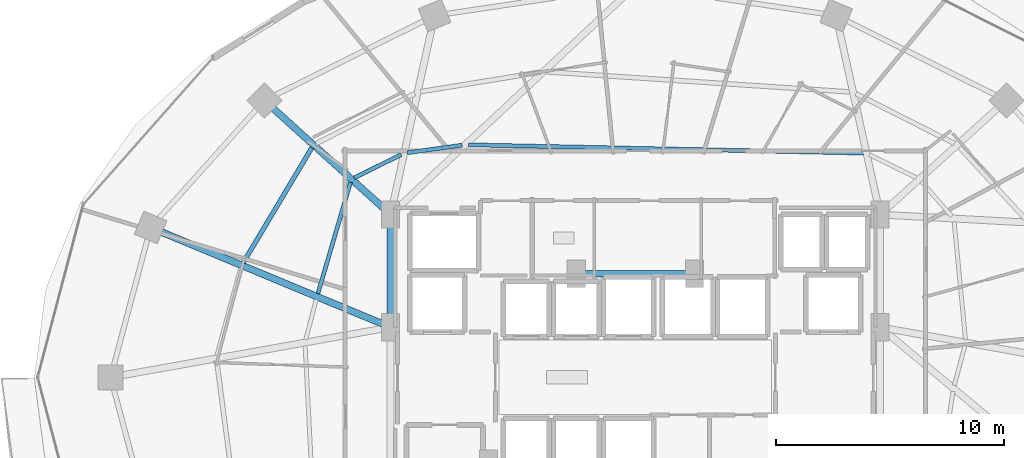
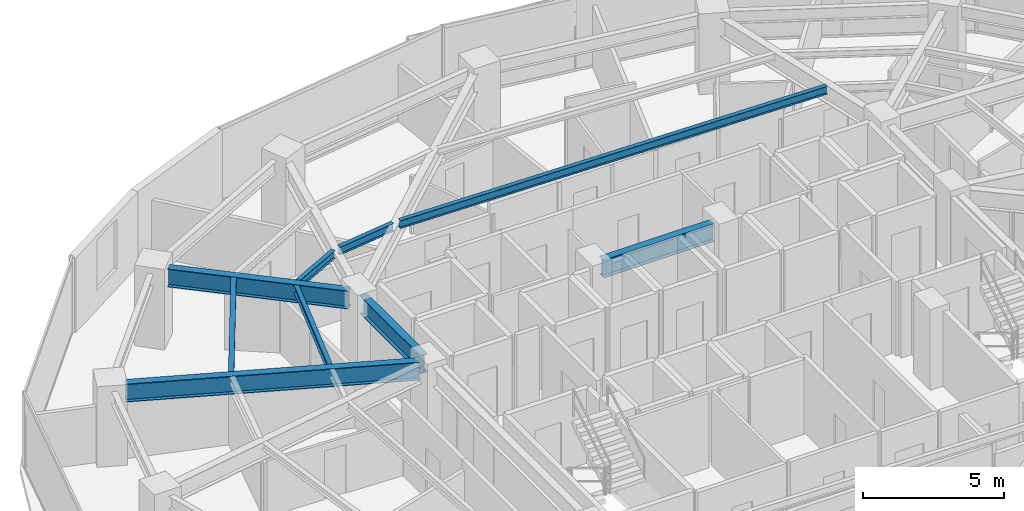
# One storey, part 10 of 29: 9 beams.
"""IFC4 building model written with IfcOpenShell, lengths in metres."""

from ifc_helpers import new_model, si_unit, direction, frame, origin, origin_2d, place, context, subcontext, project, spatial, i_section, extrude, material, material_profile, profile_set, type_object, element, save


model = new_model("IFC4")

# Units and contexts
model_context = context("Model", 3, precision=1e-05, world=origin(), true_north=direction((0.0, 1.0)))
body_context = subcontext(model_context, "Body", "Model", "MODEL_VIEW")
ifc_project = project(units=[si_unit("LENGTHUNIT", "METRE"), si_unit("AREAUNIT", "SQUARE_METRE"), si_unit("VOLUMEUNIT", "CUBIC_METRE"), si_unit("PLANEANGLEUNIT", "RADIAN"), si_unit("MASSUNIT", "GRAM", prefix="KILO")], contexts=[model_context])

# Site, building, storey
site_placement = place(None, origin())
site = spatial("IfcSite", under=ifc_project, at=site_placement, CompositionType="ELEMENT")
building_placement = place(site_placement, origin())
building = spatial("IfcBuilding", under=site, at=building_placement, Name="Vorneva Point Tower", CompositionType="ELEMENT")
storey_placement = place(building_placement, frame((0.0, 0.0, 117.300048828125)))
storey = spatial("IfcBuildingStorey", under=building, at=storey_placement, Name="L31", CompositionType="ELEMENT", Elevation=117.300048828125)

# Beams
ifc_material = material(Name="Steel S355", Category="steel")
ifc_material_profile_1 = material_profile(ifc_material, i_section(OverallWidth=0.300048828125, OverallDepth=0.7880859375, WebThickness=0.014404296875, FlangeThickness=0.02197265625, at=origin_2d()), Name="80Sh1")
ifc_profile_set_1 = profile_set([ifc_material_profile_1], Name="Steel S355")
beam_type_1 = type_object("IfcBeamType", Name="BM-GRD-80Sh1", PredefinedType="USERDEFINED", material=ifc_profile_set_1)
beam_1_placement = place(storey_placement, frame((22.100341796875, 37.801513671875, 2.845947265625), z_axis=(0.742097300344, -0.670292172729, 0.0), x_axis=(0.670292172729, 0.742097300344, 0.0)))
element("IfcBeam", 1, at=beam_1_placement, inside=storey, type_object=beam_type_1, Name="L31 Radial Primary Girder 07", ObjectType="GIRDER", PredefinedType="USERDEFINED", context=body_context, shape_type="SweptSolid", body=[
    extrude(i_section(OverallWidth=0.300048828125, OverallDepth=0.7880859375, WebThickness=0.014404296875, FlangeThickness=0.02197265625, at=origin_2d()), origin(), (0.0, 0.0, 1.0), 6.599365234375),
])
beam_2_placement = place(storey_placement, frame((17.201416015625, 32.375732421875, 2.845947265625), z_axis=(0.923444451211, -0.383732127307, 0.0), x_axis=(0.383732127307, 0.923444451211, 0.0)))
element("IfcBeam", 2, at=beam_2_placement, inside=storey, type_object=beam_type_1, Name="L31 Radial Primary Girder 08", ObjectType="GIRDER", PredefinedType="USERDEFINED", context=body_context, shape_type="SweptSolid", body=[
    extrude(i_section(OverallWidth=0.300048828125, OverallDepth=0.7880859375, WebThickness=0.014404296875, FlangeThickness=0.02197265625, at=origin_2d()), origin(), (0.0, 0.0, 1.0), 10.541748046875),
])
beam_3_placement = place(storey_placement, frame((27.25, 28.52001953125, 2.845947265625), z_axis=(0.0, 1.0, 0.0), x_axis=(-1.0, 0.0, 0.0)))
element("IfcBeam", 3, at=beam_3_placement, inside=storey, type_object=beam_type_1, Name="L31 Core Tie Girder CT2", ObjectType="GIRDER", PredefinedType="USERDEFINED", context=body_context, shape_type="SweptSolid", body=[
    extrude(i_section(OverallWidth=0.300048828125, OverallDepth=0.7880859375, WebThickness=0.014404296875, FlangeThickness=0.02197265625, at=origin_2d()), origin(), (0.0, 0.0, 1.0), 4.31005859375),
])
beam_4_placement = place(storey_placement, frame((35.719970703125, 30.550048828125, 2.845947265625), z_axis=(1.0, 0.0, 0.0), x_axis=(0.0, 1.0, 0.0)))
element("IfcBeam", 4, at=beam_4_placement, inside=storey, type_object=beam_type_1, Name="L31 Core Tie Girder CT8", ObjectType="GIRDER", PredefinedType="USERDEFINED", context=body_context, shape_type="SweptSolid", body=[
    extrude(i_section(OverallWidth=0.300048828125, OverallDepth=0.7880859375, WebThickness=0.014404296875, FlangeThickness=0.02197265625, at=origin_2d()), origin(), (0.0, 0.0, 1.0), 4.56005859375),
])
ifc_material_profile_2 = material_profile(ifc_material, i_section(OverallWidth=0.199951171875, OverallDepth=0.291015625, WebThickness=0.008056640625, FlangeThickness=0.010986328125, at=origin_2d()), Name="30Sh1")
ifc_profile_set_2 = profile_set([ifc_material_profile_2], Name="Steel S355")
beam_type_2 = type_object("IfcBeamType", Name="BM-SEC-30Sh1", PredefinedType="BEAM", material=ifc_profile_set_2)
beam_5_placement = place(storey_placement, frame((23.792724609375, 36.090576171875, 3.094482421875), z_axis=(-0.512554220876, -0.8586548612, 0.0), x_axis=(0.8586548612, -0.512554220876, 0.0)))
element("IfcBeam", 5, at=beam_5_placement, inside=storey, type_object=beam_type_2, Name="L31 Secondary Floor Beam 1.07", PredefinedType="BEAM", context=body_context, shape_type="SweptSolid", body=[
    extrude(i_section(OverallWidth=0.199951171875, OverallDepth=0.291015625, WebThickness=0.008056640625, FlangeThickness=0.010986328125, at=origin_2d()), origin(), (0.0, 0.0, 1.0), 5.884521484375),
])
ifc_material_profile_3 = material_profile(ifc_material, i_section(OverallWidth=0.174072265625, OverallDepth=0.345947265625, WebThickness=0.006103515625, FlangeThickness=0.009033203125, at=origin_2d()), Name="35B1")
ifc_profile_set_3 = profile_set([ifc_material_profile_3], Name="Steel S355")
beam_type_3 = type_object("IfcBeamType", Name="BM-SEC-35B1", PredefinedType="BEAM", material=ifc_profile_set_3)
beam_6_placement = place(storey_placement, frame((48.016845703125, 35.849853515625, 3.06689453125), z_axis=(-0.99977933568, 0.021006664342, 0.0), x_axis=(-0.021006664342, -0.99977933568, 0.0)))
element("IfcBeam", 6, at=beam_6_placement, inside=storey, type_object=beam_type_3, Name="L31 Secondary Floor Beam 2.04", PredefinedType="BEAM", context=body_context, shape_type="SweptSolid", body=[
    extrude(i_section(OverallWidth=0.174072265625, OverallDepth=0.345947265625, WebThickness=0.006103515625, FlangeThickness=0.009033203125, at=origin_2d()), origin(), (0.0, 0.0, 1.0), 17.351806640625),
])
beam_7_placement = place(storey_placement, frame((30.394287109375, 36.198486328125, 3.06689453125), z_axis=(-0.990619725387, -0.136647574709, 0.0), x_axis=(0.136647574709, -0.990619725387, 0.0)))
element("IfcBeam", 7, at=beam_7_placement, inside=storey, type_object=beam_type_3, Name="L31 Secondary Floor Beam 2.05", PredefinedType="BEAM", context=body_context, shape_type="SweptSolid", body=[
    extrude(i_section(OverallWidth=0.174072265625, OverallDepth=0.345947265625, WebThickness=0.006103515625, FlangeThickness=0.009033203125, at=origin_2d()), origin(), (0.0, 0.0, 1.0), 2.435302734375),
])
beam_8_placement = place(storey_placement, frame((27.721435546875, 35.785888671875, 3.06689453125), z_axis=(-0.896973792336, -0.442083720423, 0.0), x_axis=(0.442083720423, -0.896973792336, 0.0)))
element("IfcBeam", 8, at=beam_8_placement, inside=storey, type_object=beam_type_3, Name="L31 Secondary Floor Beam 2.06", PredefinedType="BEAM", context=body_context, shape_type="SweptSolid", body=[
    extrude(i_section(OverallWidth=0.174072265625, OverallDepth=0.345947265625, WebThickness=0.006103515625, FlangeThickness=0.009033203125, at=origin_2d()), origin(), (0.0, 0.0, 1.0), 2.306640625),
])
beam_9_placement = place(storey_placement, frame((25.48974609375, 34.572509765625, 3.06689453125), z_axis=(-0.281319059286, -0.959614290683, 0.0), x_axis=(0.959614290683, -0.281319059286, 0.0)))
element("IfcBeam", 9, at=beam_9_placement, inside=storey, type_object=beam_type_3, Name="L31 Secondary Floor Beam 2.07", PredefinedType="BEAM", context=body_context, shape_type="SweptSolid", body=[
    extrude(i_section(OverallWidth=0.174072265625, OverallDepth=0.345947265625, WebThickness=0.006103515625, FlangeThickness=0.009033203125, at=origin_2d()), origin(), (0.0, 0.0, 1.0), 5.10205078125),
])

save(model, "model.ifc")
